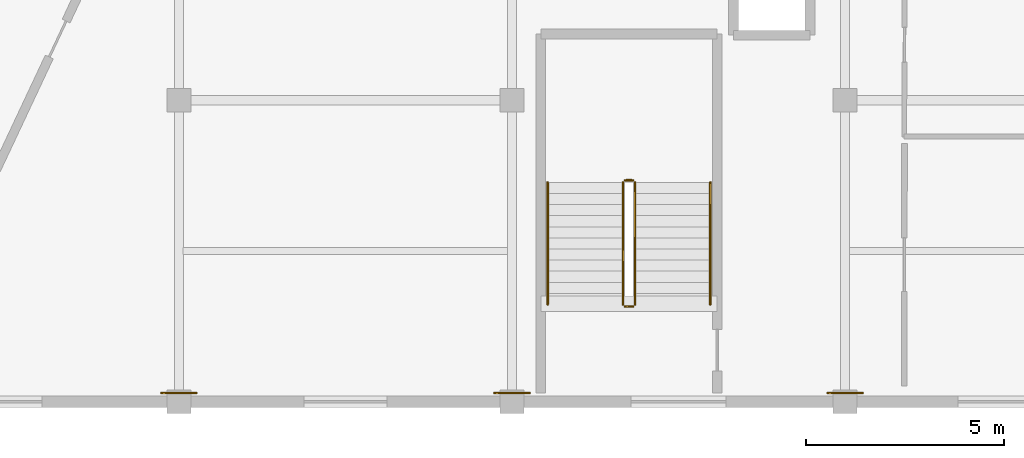
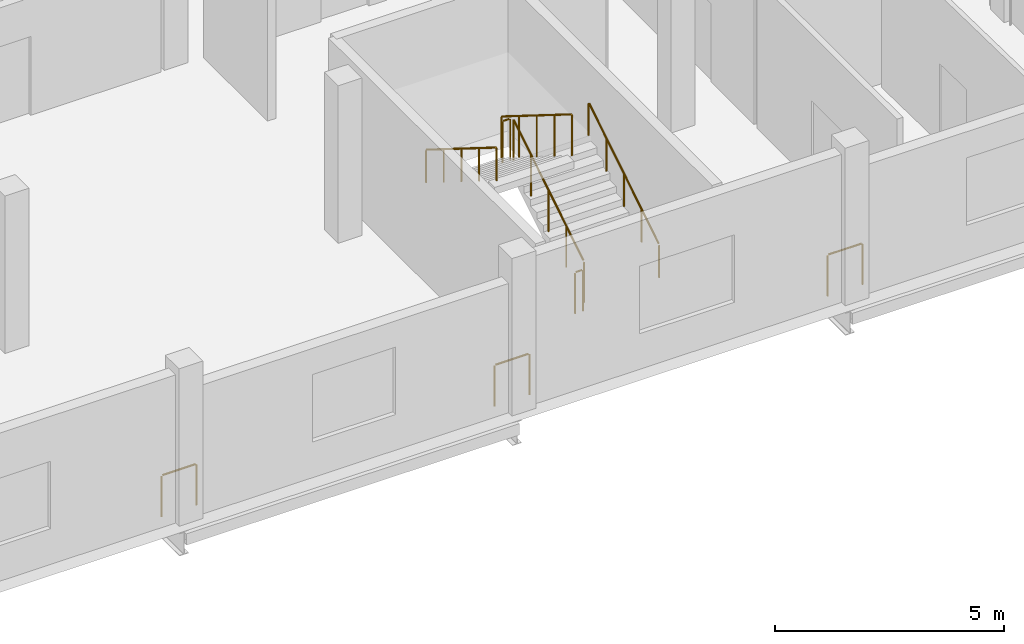
# One storey, part 143 of 151: 9 railings.
"""IFC4 building model written with IfcOpenShell, lengths in metres."""

from ifc_helpers import new_model, si_unit, direction, frame, origin, origin_2d, place, context, subcontext, project, spatial, circle, extrude, material, type_object, element, save


model = new_model("IFC4")

# Units and contexts
model_context = context("Model", 3, precision=1e-05, world=origin(), true_north=direction((0.0, 1.0)))
body_context = subcontext(model_context, "Body", "Model", "MODEL_VIEW")
ifc_project = project(units=[si_unit("LENGTHUNIT", "METRE"), si_unit("AREAUNIT", "SQUARE_METRE"), si_unit("VOLUMEUNIT", "CUBIC_METRE"), si_unit("PLANEANGLEUNIT", "RADIAN"), si_unit("MASSUNIT", "GRAM", prefix="KILO")], contexts=[model_context])

# Site, building, storey
site_placement = place(None, origin())
site = spatial("IfcSite", under=ifc_project, at=site_placement, CompositionType="ELEMENT")
building_placement = place(site_placement, origin())
building = spatial("IfcBuilding", under=site, at=building_placement, Name="Zuvorla Pavilion Media Centre", CompositionType="ELEMENT")
storey_placement = place(building_placement, frame((0.0, 0.0, 13.800048828125)))
storey = spatial("IfcBuildingStorey", under=building, at=storey_placement, Name="L03", CompositionType="ELEMENT", Elevation=13.800048828125)

# Railings
ifc_material_1 = material(Name="Powder-coated steel balustrade guard", Category="steel")
railing_type_1 = type_object("IfcRailingType", Name="RL-INT-GRD", PredefinedType="BALUSTRADE", material=ifc_material_1)
railing_1_placement = place(storey_placement, frame((95.10009765625, 8.449951171875, 0.175048828125)))
element("IfcRailing", 1, at=railing_1_placement, inside=storey, type_object=railing_type_1, Name="L03 ST-02 stair guard 1", PredefinedType="BALUSTRADE", context=body_context, shape_type="SweptSolid", body=[
    extrude(circle(Radius=0.02392578125, at=origin_2d()), frame((0.0, 0.0244140625, 1.111328125), z_axis=(0.0, 0.848028513186, 0.529950602248), x_axis=(-1.0, 0.0, 0.0)), (0.0, 0.0, 1.0), 3.57421875),
    extrude(circle(Radius=0.02099609375, at=origin_2d()), origin(), (0.0, 0.0, 1.0), 1.070068359375),
    extrude(circle(Radius=0.02099609375, at=origin_2d()), frame((0.0, 0.77001953125, 0.481201171875)), (0.0, 0.0, 1.0), 1.070068359375),
    extrude(circle(Radius=0.02099609375, at=origin_2d()), frame((0.0, 1.5400390625, 0.96240234375)), (0.0, 0.0, 1.0), 1.070068359375),
    extrude(circle(Radius=0.02099609375, at=origin_2d()), frame((0.0, 2.31005859375, 1.443603515625)), (0.0, 0.0, 1.0), 1.070068359375),
    extrude(circle(Radius=0.02099609375, at=origin_2d()), frame((0.0, 3.080078125, 1.9248046875)), (0.0, 0.0, 1.0), 1.070068359375),
])
railing_2_placement = place(storey_placement, frame((95.050048828125, 11.580078125, 2.099853515625)))
element("IfcRailing", 2, at=railing_2_placement, inside=storey, type_object=railing_type_1, Name="L03 ST-02 stair guard 2", PredefinedType="BALUSTRADE", context=body_context, shape_type="SweptSolid", body=[
    extrude(circle(Radius=0.02392578125, at=origin_2d()), frame((-0.02880859375, 0.0, 1.09619140625), z_axis=(-1.0, 0.0, 0.0), x_axis=(0.0, -1.0, 0.0)), (0.0, 0.0, 1.0), 0.142333984375),
    extrude(circle(Radius=0.02099609375, at=origin_2d()), origin(), (0.0, 0.0, 1.0), 1.070068359375),
    extrude(circle(Radius=0.02099609375, at=origin_2d()), frame((-0.199951171875, 0.0, 0.0)), (0.0, 0.0, 1.0), 1.070068359375),
])
railing_3_placement = place(storey_placement, frame((94.800048828125, 11.530029296875, 2.27490234375)))
element("IfcRailing", 3, at=railing_3_placement, inside=storey, type_object=railing_type_1, Name="L03 ST-02 stair guard 3", PredefinedType="BALUSTRADE", context=body_context, shape_type="SweptSolid", body=[
    extrude(circle(Radius=0.02392578125, at=origin_2d()), frame((0.0, -0.0244140625, 1.111328125), z_axis=(0.0, -0.847998304005, 0.529998940003), x_axis=(1.0, 0.0, 0.0)), (0.0, 0.0, 1.0), 3.574462890625),
    extrude(circle(Radius=0.02099609375, at=origin_2d()), origin(), (0.0, 0.0, 1.0), 1.070068359375),
    extrude(circle(Radius=0.02099609375, at=origin_2d()), frame((0.0, -0.77001953125, 0.481201171875)), (0.0, 0.0, 1.0), 1.070068359375),
    extrude(circle(Radius=0.02099609375, at=origin_2d()), frame((0.0, -1.5400390625, 0.96240234375)), (0.0, 0.0, 1.0), 1.070068359375),
    extrude(circle(Radius=0.02099609375, at=origin_2d()), frame((0.0, -2.31005859375, 1.44384765625)), (0.0, 0.0, 1.0), 1.070068359375),
    extrude(circle(Radius=0.02099609375, at=origin_2d()), frame((0.0, -3.080078125, 1.925048828125)), (0.0, 0.0, 1.0), 1.070068359375),
])
railing_4_placement = place(storey_placement, frame((95.050048828125, 8.39990234375, 0.0)))
element("IfcRailing", 4, at=railing_4_placement, inside=storey, type_object=railing_type_1, Name="L03 ST-02 stair guard 4", PredefinedType="BALUSTRADE", context=body_context, shape_type="SweptSolid", body=[
    extrude(circle(Radius=0.02392578125, at=origin_2d()), frame((-0.02880859375, 0.0, 1.09619140625), z_axis=(-1.0, 0.0, 0.0), x_axis=(0.0, -1.0, 0.0)), (0.0, 0.0, 1.0), 0.142333984375),
    extrude(circle(Radius=0.02099609375, at=origin_2d()), origin(), (0.0, 0.0, 1.0), 1.070068359375),
    extrude(circle(Radius=0.02099609375, at=origin_2d()), frame((-0.199951171875, 0.0, 0.0)), (0.0, 0.0, 1.0), 1.070068359375),
])
railing_5_placement = place(storey_placement, frame((100.840087890625, 6.219970703125, 0.0)))
element("IfcRailing", 5, at=railing_5_placement, inside=storey, type_object=railing_type_1, Name="L03 slab edge guard 101", PredefinedType="BALUSTRADE", context=body_context, shape_type="SweptSolid", body=[
    extrude(circle(Radius=0.02392578125, at=origin_2d()), frame((-0.02880859375, 0.0, 1.09619140625), z_axis=(-1.0, 0.0, 0.0), x_axis=(0.0, -1.0, 0.0)), (0.0, 0.0, 1.0), 0.822509765625),
    extrude(circle(Radius=0.02099609375, at=origin_2d()), origin(), (0.0, 0.0, 1.0), 1.070068359375),
    extrude(circle(Radius=0.02099609375, at=origin_2d()), frame((-0.880126953125, 0.0, 0.0)), (0.0, 0.0, 1.0), 1.070068359375),
])
railing_6_placement = place(storey_placement, frame((92.43994140625, 6.219970703125, 0.0)))
element("IfcRailing", 6, at=railing_6_placement, inside=storey, type_object=railing_type_1, Name="L03 slab edge guard 102", PredefinedType="BALUSTRADE", context=body_context, shape_type="SweptSolid", body=[
    extrude(circle(Radius=0.02392578125, at=origin_2d()), frame((-0.02880859375, 0.0, 1.09619140625), z_axis=(-1.0, 0.0, 0.0), x_axis=(0.0, -1.0, 0.0)), (0.0, 0.0, 1.0), 0.822265625),
    extrude(circle(Radius=0.02099609375, at=origin_2d()), origin(), (0.0, 0.0, 1.0), 1.070068359375),
    extrude(circle(Radius=0.02099609375, at=origin_2d()), frame((-0.8798828125, 0.0, 0.0)), (0.0, 0.0, 1.0), 1.070068359375),
])
railing_7_placement = place(storey_placement, frame((84.0400390625, 6.219970703125, 0.0)))
element("IfcRailing", 7, at=railing_7_placement, inside=storey, type_object=railing_type_1, Name="L03 slab edge guard 103", PredefinedType="BALUSTRADE", context=body_context, shape_type="SweptSolid", body=[
    extrude(circle(Radius=0.02392578125, at=origin_2d()), frame((-0.02880859375, 0.0, 1.09619140625), z_axis=(-1.0, 0.0, 0.0), x_axis=(0.0, -1.0, 0.0)), (0.0, 0.0, 1.0), 0.822509765625),
    extrude(circle(Radius=0.02099609375, at=origin_2d()), origin(), (0.0, 0.0, 1.0), 1.070068359375),
    extrude(circle(Radius=0.02099609375, at=origin_2d()), frame((-0.880126953125, 0.0, 0.0)), (0.0, 0.0, 1.0), 1.070068359375),
])
ifc_material_2 = material(Name="Brushed stainless steel tubular handrail", Category="steel")
railing_type_2 = type_object("IfcRailingType", Name="RL-INT-HND", PredefinedType="HANDRAIL", material=ifc_material_2)
railing_8_placement = place(storey_placement, frame((97.0, 8.449951171875, 0.175048828125)))
element("IfcRailing", 8, at=railing_8_placement, inside=storey, type_object=railing_type_2, Name="L03 ST-02 handrail 1", PredefinedType="HANDRAIL", context=body_context, shape_type="SweptSolid", body=[
    extrude(circle(Radius=0.02392578125, at=origin_2d()), frame((0.0, 0.0244140625, 0.89111328125), z_axis=(0.0, 0.848028513186, 0.529950602248), x_axis=(-1.0, 0.0, 0.0)), (0.0, 0.0, 1.0), 3.57421875),
    extrude(circle(Radius=0.02099609375, at=origin_2d()), origin(), (0.0, 0.0, 1.0), 0.849853515625),
    extrude(circle(Radius=0.02099609375, at=origin_2d()), frame((0.0, 0.77001953125, 0.481201171875)), (0.0, 0.0, 1.0), 0.849853515625),
    extrude(circle(Radius=0.02099609375, at=origin_2d()), frame((0.0, 1.5400390625, 0.96240234375)), (0.0, 0.0, 1.0), 0.849853515625),
    extrude(circle(Radius=0.02099609375, at=origin_2d()), frame((0.0, 2.31005859375, 1.443603515625)), (0.0, 0.0, 1.0), 0.849853515625),
    extrude(circle(Radius=0.02099609375, at=origin_2d()), frame((0.0, 3.080078125, 1.9248046875)), (0.0, 0.0, 1.0), 0.849853515625),
])
railing_9_placement = place(storey_placement, frame((92.89990234375, 11.530029296875, 2.27490234375)))
element("IfcRailing", 9, at=railing_9_placement, inside=storey, type_object=railing_type_2, Name="L03 ST-02 handrail 2", PredefinedType="HANDRAIL", context=body_context, shape_type="SweptSolid", body=[
    extrude(circle(Radius=0.02392578125, at=origin_2d()), frame((0.0, -0.0244140625, 0.89111328125), z_axis=(0.0, -0.847998304005, 0.529998940003), x_axis=(1.0, 0.0, 0.0)), (0.0, 0.0, 1.0), 3.574462890625),
    extrude(circle(Radius=0.02099609375, at=origin_2d()), origin(), (0.0, 0.0, 1.0), 0.849853515625),
    extrude(circle(Radius=0.02099609375, at=origin_2d()), frame((0.0, -0.77001953125, 0.481201171875)), (0.0, 0.0, 1.0), 0.849853515625),
    extrude(circle(Radius=0.02099609375, at=origin_2d()), frame((0.0, -1.5400390625, 0.96240234375)), (0.0, 0.0, 1.0), 0.849853515625),
    extrude(circle(Radius=0.02099609375, at=origin_2d()), frame((0.0, -2.31005859375, 1.44384765625)), (0.0, 0.0, 1.0), 0.849853515625),
    extrude(circle(Radius=0.02099609375, at=origin_2d()), frame((0.0, -3.080078125, 1.925048828125)), (0.0, 0.0, 1.0), 0.849853515625),
])

save(model, "model.ifc")
